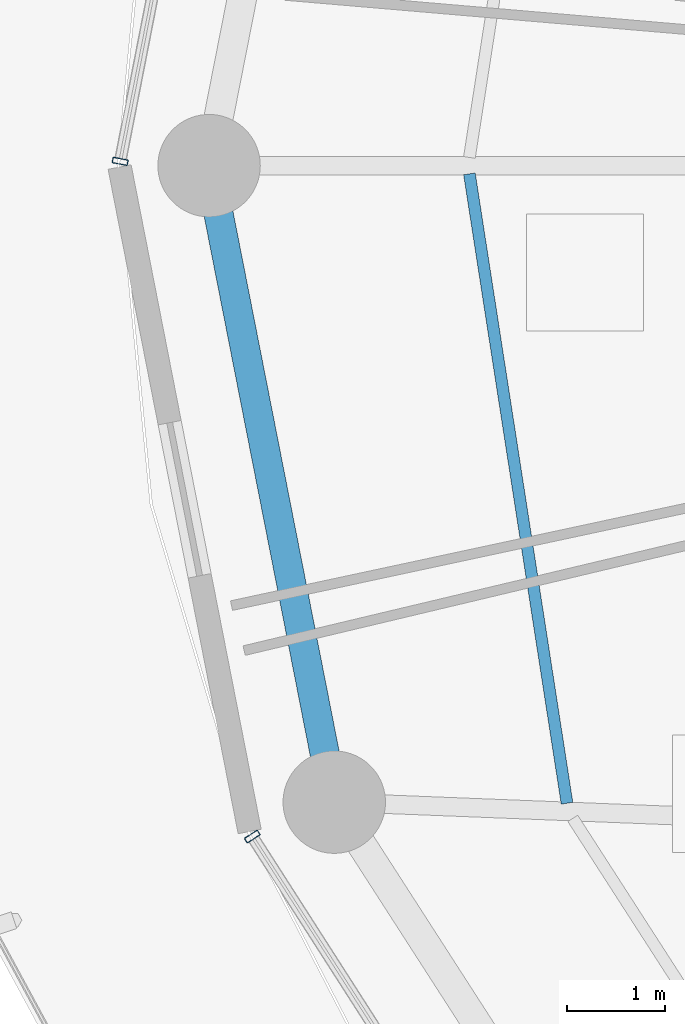
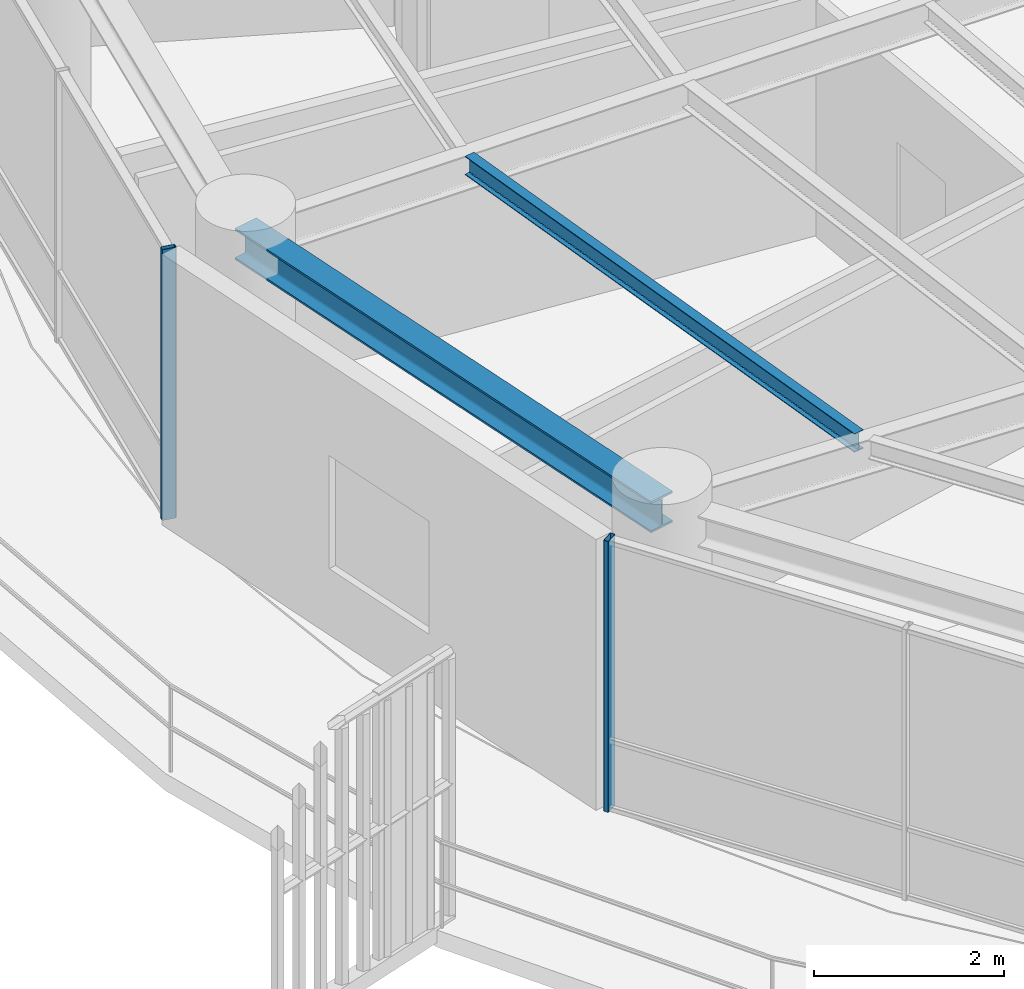
# One storey, part 6 of 31: 2 beams, 2 members, 2 elements without a shape of their own.
"""IFC4 building model written with IfcOpenShell, lengths in metres."""

from ifc_helpers import new_model, si_unit, direction, frame, origin, origin_2d, place, context, subcontext, project, spatial, hollow_rectangle, i_section, extrude, material, layer, layer_set, material_profile, profile_set, type_object, element, aggregate, save


model = new_model("IFC4")

# Units and contexts
model_context = context("Model", 3, precision=1e-05, world=origin(), true_north=direction((0.0, 1.0)))
body_context = subcontext(model_context, "Body", "Model", "MODEL_VIEW")
ifc_project = project(units=[si_unit("LENGTHUNIT", "METRE"), si_unit("AREAUNIT", "SQUARE_METRE"), si_unit("VOLUMEUNIT", "CUBIC_METRE"), si_unit("PLANEANGLEUNIT", "RADIAN"), si_unit("MASSUNIT", "GRAM", prefix="KILO")], contexts=[model_context])

# Site, building, storey
site_placement = place(None, origin())
site = spatial("IfcSite", under=ifc_project, at=site_placement, CompositionType="ELEMENT")
building_placement = place(site_placement, origin())
building = spatial("IfcBuilding", under=site, at=building_placement, Name="Kelanora Arch Commons", CompositionType="ELEMENT")
storey_placement = place(building_placement, frame((0.0, 0.0, 219.449951171875)))
storey = spatial("IfcBuildingStorey", under=building, at=storey_placement, Name="L56", CompositionType="ELEMENT", Elevation=219.449951171875)

# Beams
ifc_material_1 = material(Name="Steel S355", Category="steel")
ifc_material_profile_1 = material_profile(ifc_material_1, i_section(OverallWidth=0.1201171875, OverallDepth=0.239990234375, WebThickness=0.006103515625, FlangeThickness=0.009765625, FilletRadius=0.014892578125, at=origin_2d()), Name="IPE240")
ifc_profile_set_1 = profile_set([ifc_material_profile_1], Name="Steel S355")
beam_type_1 = type_object("IfcBeamType", Name="BM-JST-02", PredefinedType="JOIST", material=ifc_profile_set_1)
beam_1_placement = place(storey_placement, frame((55.388916015625, 57.916015625, 3.3701171875), z_axis=(0.153256756152, -0.988186402808, 0.0), x_axis=(0.988186402808, 0.153256756152, 0.0)))
element("IfcBeam", 1, at=beam_1_placement, inside=storey, type_object=beam_type_1, Name="Secondary Chord Joist BJC-18 L56", PredefinedType="JOIST", context=body_context, shape_type="SweptSolid", body=[
    extrude(i_section(OverallWidth=0.1201171875, OverallDepth=0.239990234375, WebThickness=0.006103515625, FlangeThickness=0.009765625, FilletRadius=0.014892578125, at=origin_2d()), origin(), (0.0, 0.0, 1.0), 6.52978515625),
])
ifc_material_profile_2 = material_profile(ifc_material_1, i_section(OverallWidth=0.300048828125, OverallDepth=0.39990234375, WebThickness=0.013427734375, FlangeThickness=0.02392578125, FilletRadius=0.027099609375, at=origin_2d()), Name="HEB400")
ifc_profile_set_2 = profile_set([ifc_material_profile_2], Name="Steel S355")
beam_type_2 = type_object("IfcBeamType", Name="BM-SPN-Z4", PredefinedType="SPANDREL", material=ifc_profile_set_2)
beam_2_placement = place(storey_placement, frame((52.719970703125, 58.0, 3.2900390625), z_axis=(0.192980724826, -0.981202547819, 0.0), x_axis=(0.981202547819, 0.192980724826, 0.0)))
element("IfcBeam", 2, at=beam_2_placement, inside=storey, type_object=beam_type_2, Name="Perimeter Spandrel Beam BS-18 L56", PredefinedType="SPANDREL", context=body_context, shape_type="SweptSolid", body=[
    extrude(i_section(OverallWidth=0.300048828125, OverallDepth=0.39990234375, WebThickness=0.013427734375, FlangeThickness=0.02392578125, FilletRadius=0.027099609375, at=origin_2d()), origin(), (0.0, 0.0, 1.0), 6.650634765625),
])

# Curtain wall, member
ifc_material_2 = material(Name="Terracotta ceramic-fritted low-E glass and aluminium", Category="masonry")
ifc_layer = layer(ifc_material_2, 0.175048828125)
ifc_layer_set = layer_set([ifc_layer], Name="Terracotta ceramic-fritted low-E glass and aluminium")
curtain_wall_type = type_object("IfcCurtainWallType", Name="CW-SYS-02", PredefinedType="NOTDEFINED", material=ifc_layer_set)
curtain_wall_1_placement = place(storey_placement, origin())
curtain_wall_1 = element("IfcCurtainWall", 3, at=curtain_wall_1_placement, inside=storey, type_object=curtain_wall_type, Name="Unitised Curtain Wall L56-B08", PredefinedType="NOTDEFINED")
ifc_material_3 = material(Name="Powder-coated aluminium terracotta", Category="masonry")
ifc_material_profile_3 = material_profile(ifc_material_3, hollow_rectangle(XDim=0.159912109375, YDim=0.06005859375, WallThickness=0.0048828125, InnerFilletRadius=0.0048828125, OuterFilletRadius=0.010009765625, at=origin_2d()), Name="CWM160x60")
ifc_profile_set_3 = profile_set([ifc_material_profile_3], Name="Powder-coated aluminium terracotta")
member_type = type_object("IfcMemberType", Name="CWM-STD", PredefinedType="MULLION", material=ifc_profile_set_3)
member_1_placement = place(storey_placement, frame((51.80859375, 58.044189453125, 0.0), z_axis=(0.0, 0.0, 1.0), x_axis=(0.981381438349, -0.192068926335, 0.0)))
member_1 = element("IfcMember", 4, at=member_1_placement, type_object=member_type, Name="CW-02 mullion 3", PredefinedType="MULLION", context=body_context, shape_type="SweptSolid", body=[
    extrude(hollow_rectangle(XDim=0.159912109375, YDim=0.06005859375, WallThickness=0.0048828125, InnerFilletRadius=0.0048828125, OuterFilletRadius=0.010009765625, at=origin_2d()), origin(), (0.0, 0.0, 1.0), 3.47509765625),
])
aggregate(curtain_wall_1, [member_1])

curtain_wall_2_placement = place(storey_placement, origin())
curtain_wall_2 = element("IfcCurtainWall", 5, at=curtain_wall_2_placement, inside=storey, type_object=curtain_wall_type, Name="Unitised Curtain Wall L56-B10", PredefinedType="NOTDEFINED")
member_2_placement = place(storey_placement, frame((53.1630859375, 51.121826171875, 0.0), z_axis=(0.0, 0.0, 1.0), x_axis=(0.84194757539, 0.539559338994, 0.0)))
member_2 = element("IfcMember", 6, at=member_2_placement, type_object=member_type, Name="CW-02 mullion 1", PredefinedType="MULLION", context=body_context, shape_type="SweptSolid", body=[
    extrude(hollow_rectangle(XDim=0.159912109375, YDim=0.06005859375, WallThickness=0.0048828125, InnerFilletRadius=0.0048828125, OuterFilletRadius=0.010009765625, at=origin_2d()), origin(), (0.0, 0.0, 1.0), 3.47509765625),
])
aggregate(curtain_wall_2, [member_2])

save(model, "model.ifc")
